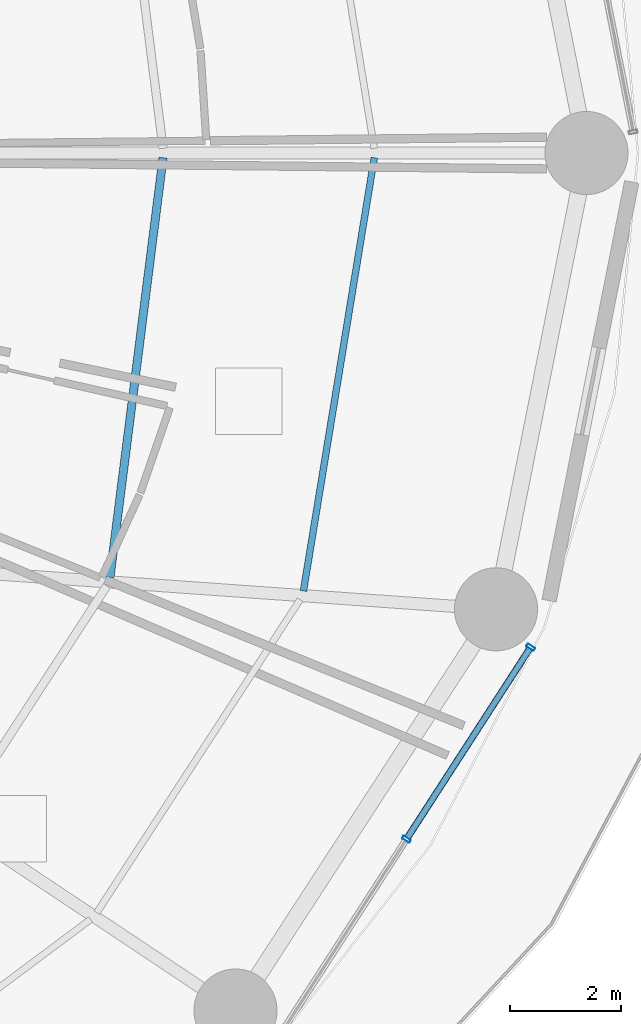
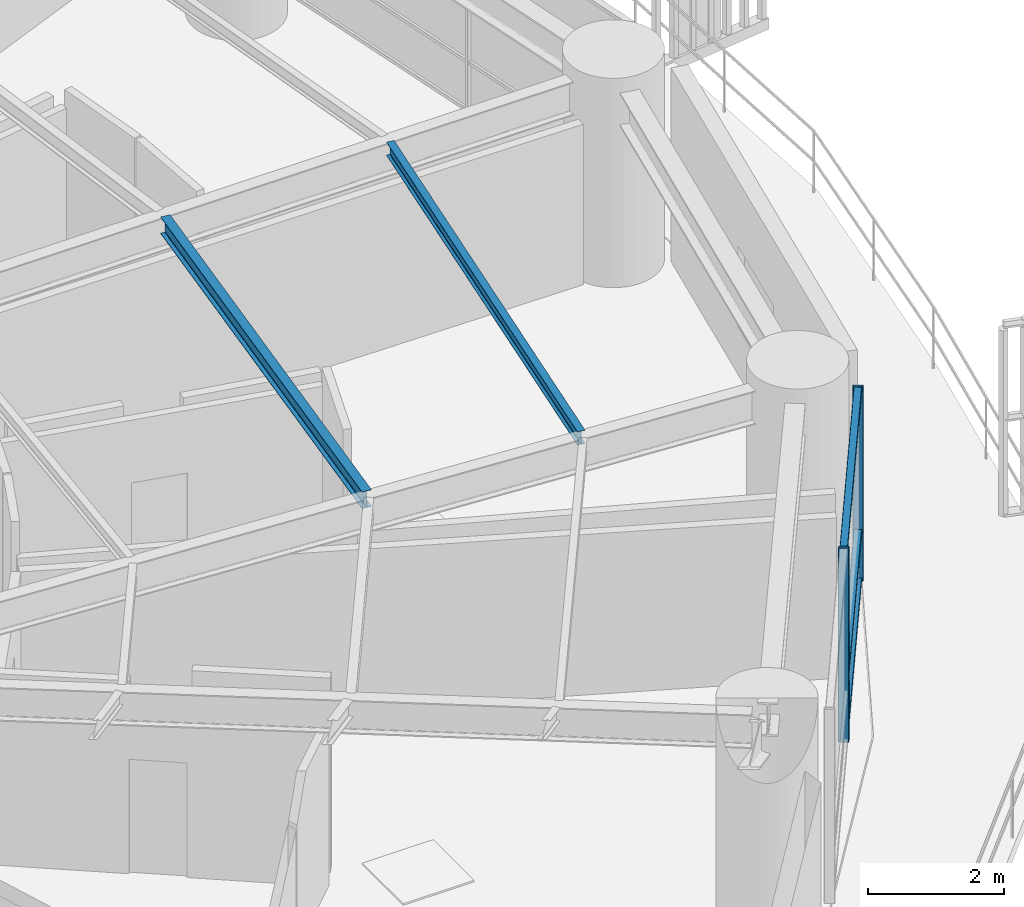
# One storey, part 12 of 34: 5 members, 2 beams, 1 element without a shape of its own.
"""IFC4 building model written with IfcOpenShell, lengths in metres."""

from ifc_helpers import new_model, si_unit, direction, frame, origin, origin_2d, place, context, subcontext, project, spatial, hollow_rectangle, i_section, extrude, material, layer, layer_set, material_profile, profile_set, type_object, element, aggregate, save


model = new_model("IFC4")

# Units and contexts
model_context = context("Model", 3, precision=1e-05, world=origin(), true_north=direction((0.0, 1.0)))
body_context = subcontext(model_context, "Body", "Model", "MODEL_VIEW")
ifc_project = project(units=[si_unit("LENGTHUNIT", "METRE"), si_unit("AREAUNIT", "SQUARE_METRE"), si_unit("VOLUMEUNIT", "CUBIC_METRE"), si_unit("PLANEANGLEUNIT", "RADIAN"), si_unit("MASSUNIT", "GRAM", prefix="KILO")], contexts=[model_context])

# Site, building, storey
site_placement = place(None, origin())
site = spatial("IfcSite", under=ifc_project, at=site_placement, CompositionType="ELEMENT")
building_placement = place(site_placement, origin())
building = spatial("IfcBuilding", under=site, at=building_placement, Name="Kelanora Arch Commons", CompositionType="ELEMENT")
storey_placement = place(building_placement, frame((0.0, 0.0, 30.0)))
storey = spatial("IfcBuildingStorey", under=building, at=storey_placement, Name="L07", CompositionType="ELEMENT", Elevation=30.0)

# Beams
ifc_material_1 = material(Name="Steel S355", Category="steel")
ifc_material_profile_1 = material_profile(ifc_material_1, i_section(OverallWidth=0.14990234375, OverallDepth=0.300048828125, WebThickness=0.007080078125, FlangeThickness=0.0107421875, FilletRadius=0.014892578125, at=origin_2d()), Name="IPE300")
ifc_profile_set_1 = profile_set([ifc_material_profile_1], Name="Steel S355")
beam_type_1 = type_object("IfcBeamType", Name="BM-JST-01", PredefinedType="JOIST", material=ifc_profile_set_1)
beam_1_placement = place(storey_placement, frame((92.478759765625, 50.3427734375, 3.340087890625), z_axis=(0.125565841651, 0.992085288375, 0.0), x_axis=(-0.992085288375, 0.125565841651, 0.0)))
element("IfcBeam", 1, at=beam_1_placement, inside=storey, type_object=beam_type_1, Name="Secondary Chord Joist BJB-34 L07", PredefinedType="JOIST", context=body_context, shape_type="SweptSolid", body=[
    extrude(i_section(OverallWidth=0.14990234375, OverallDepth=0.300048828125, WebThickness=0.007080078125, FlangeThickness=0.0107421875, FilletRadius=0.014892578125, at=origin_2d()), origin(), (0.0, 0.0, 1.0), 7.63330078125),
])
ifc_material_profile_2 = material_profile(ifc_material_1, i_section(OverallWidth=0.1201171875, OverallDepth=0.239990234375, WebThickness=0.006103515625, FlangeThickness=0.009765625, FilletRadius=0.014892578125, at=origin_2d()), Name="IPE240")
ifc_profile_set_2 = profile_set([ifc_material_profile_2], Name="Steel S355")
beam_type_2 = type_object("IfcBeamType", Name="BM-JST-02", PredefinedType="JOIST", material=ifc_profile_set_2)
beam_2_placement = place(storey_placement, frame((95.97119140625, 50.09521484375, 3.3701171875), z_axis=(0.161400737199, 0.986888951216, 0.0), x_axis=(-0.986888951216, 0.161400737199, 0.0)))
element("IfcBeam", 2, at=beam_2_placement, inside=storey, type_object=beam_type_2, Name="Secondary Chord Joist BJC-34 L07", PredefinedType="JOIST", context=body_context, shape_type="SweptSolid", body=[
    extrude(i_section(OverallWidth=0.1201171875, OverallDepth=0.239990234375, WebThickness=0.006103515625, FlangeThickness=0.009765625, FilletRadius=0.014892578125, at=origin_2d()), origin(), (0.0, 0.0, 1.0), 7.9248046875),
])

# Curtain wall, members
ifc_material_2 = material(Name="Terracotta ceramic-fritted low-E glass and aluminium", Category="masonry")
ifc_layer = layer(ifc_material_2, 0.159912109375)
ifc_layer_set = layer_set([ifc_layer], Name="Terracotta ceramic-fritted low-E glass and aluminium")
curtain_wall_type = type_object("IfcCurtainWallType", Name="CW-SYS-01", PredefinedType="NOTDEFINED", material=ifc_layer_set)
curtain_wall_placement = place(storey_placement, origin())
curtain_wall = element("IfcCurtainWall", 3, at=curtain_wall_placement, inside=storey, type_object=curtain_wall_type, Name="Unitised Curtain Wall L07-B16", PredefinedType="NOTDEFINED")
ifc_material_3 = material(Name="Powder-coated aluminium terracotta", Category="masonry")
ifc_material_profile_3 = material_profile(ifc_material_3, hollow_rectangle(XDim=0.159912109375, YDim=0.06005859375, WallThickness=0.0048828125, InnerFilletRadius=0.0048828125, OuterFilletRadius=0.010009765625, at=origin_2d()), Name="CWM160x60")
ifc_profile_set_3 = profile_set([ifc_material_profile_3], Name="Powder-coated aluminium terracotta")
member_type_1 = type_object("IfcMemberType", Name="CWM-STD", PredefinedType="MULLION", material=ifc_profile_set_3)
member_1_placement = place(storey_placement, frame((97.830810546875, 45.61328125, 0.0), z_axis=(0.0, 0.0, 1.0), x_axis=(-0.83972982332, 0.543004441812, 0.0)))
member_1 = element("IfcMember", 4, at=member_1_placement, type_object=member_type_1, Name="CW-01 mullion 2", PredefinedType="MULLION", context=body_context, shape_type="SweptSolid", body=[
    extrude(hollow_rectangle(XDim=0.159912109375, YDim=0.06005859375, WallThickness=0.0048828125, InnerFilletRadius=0.0048828125, OuterFilletRadius=0.010009765625, at=origin_2d()), origin(), (0.0, 0.0, 1.0), 3.47509765625),
])
member_2_placement = place(storey_placement, frame((100.072265625, 49.07958984375, 0.0), z_axis=(0.0, 0.0, 1.0), x_axis=(-0.83972982332, 0.543004441812, 0.0)))
member_2 = element("IfcMember", 5, at=member_2_placement, type_object=member_type_1, Name="CW-01 mullion 3", PredefinedType="MULLION", context=body_context, shape_type="SweptSolid", body=[
    extrude(hollow_rectangle(XDim=0.159912109375, YDim=0.06005859375, WallThickness=0.0048828125, InnerFilletRadius=0.0048828125, OuterFilletRadius=0.010009765625, at=origin_2d()), origin(), (0.0, 0.0, 1.0), 3.47509765625),
])
ifc_material_profile_4 = material_profile(ifc_material_3, hollow_rectangle(XDim=0.1201171875, YDim=0.06005859375, WallThickness=0.0048828125, InnerFilletRadius=0.0048828125, OuterFilletRadius=0.010009765625, at=origin_2d()), Name="CWT120x60")
ifc_profile_set_4 = profile_set([ifc_material_profile_4], Name="Powder-coated aluminium terracotta")
member_type_2 = type_object("IfcMemberType", Name="CWT-STD", PredefinedType="USERDEFINED", material=ifc_profile_set_4)
member_3_placement = place(storey_placement, frame((97.84716796875, 45.638671875, 0.030029296875), z_axis=(0.542997414293, 0.839734367566, 0.0), x_axis=(-0.839734367566, 0.542997414293, 0.0)))
member_3 = element("IfcMember", 6, at=member_3_placement, type_object=member_type_2, Name="CW-01 transom 2.1", ObjectType="TRANSOM", PredefinedType="USERDEFINED", context=body_context, shape_type="SweptSolid", body=[
    extrude(hollow_rectangle(XDim=0.1201171875, YDim=0.06005859375, WallThickness=0.0048828125, InnerFilletRadius=0.0048828125, OuterFilletRadius=0.010009765625, at=origin_2d()), origin(), (0.0, 0.0, 1.0), 4.067626953125),
])
member_4_placement = place(storey_placement, frame((97.84716796875, 45.638671875, 0.89990234375), z_axis=(0.542997414293, 0.839734367566, 0.0), x_axis=(-0.839734367566, 0.542997414293, 0.0)))
member_4 = element("IfcMember", 7, at=member_4_placement, type_object=member_type_2, Name="CW-01 transom 2.2", ObjectType="TRANSOM", PredefinedType="USERDEFINED", context=body_context, shape_type="SweptSolid", body=[
    extrude(hollow_rectangle(XDim=0.1201171875, YDim=0.06005859375, WallThickness=0.0048828125, InnerFilletRadius=0.0048828125, OuterFilletRadius=0.010009765625, at=origin_2d()), origin(), (0.0, 0.0, 1.0), 4.067626953125),
])
member_5_placement = place(storey_placement, frame((97.84716796875, 45.638671875, 3.445068359375), z_axis=(0.542997414293, 0.839734367566, 0.0), x_axis=(-0.839734367566, 0.542997414293, 0.0)))
member_5 = element("IfcMember", 8, at=member_5_placement, type_object=member_type_2, Name="CW-01 transom 2.3", ObjectType="TRANSOM", PredefinedType="USERDEFINED", context=body_context, shape_type="SweptSolid", body=[
    extrude(hollow_rectangle(XDim=0.1201171875, YDim=0.06005859375, WallThickness=0.0048828125, InnerFilletRadius=0.0048828125, OuterFilletRadius=0.010009765625, at=origin_2d()), origin(), (0.0, 0.0, 1.0), 4.067626953125),
])
aggregate(curtain_wall, [member_1, member_2, member_3, member_4, member_5])

save(model, "model.ifc")
